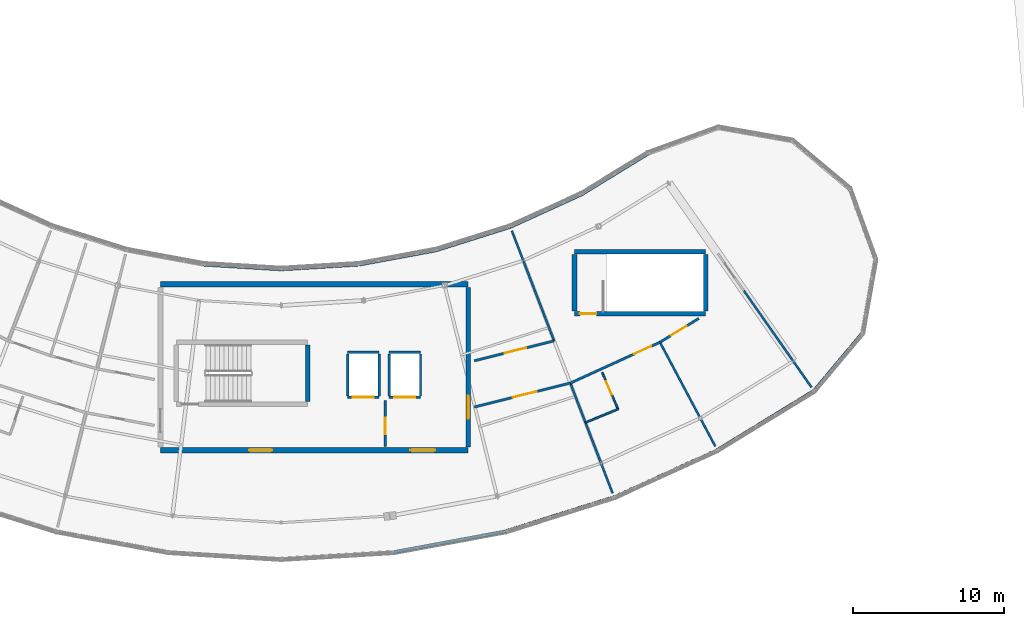
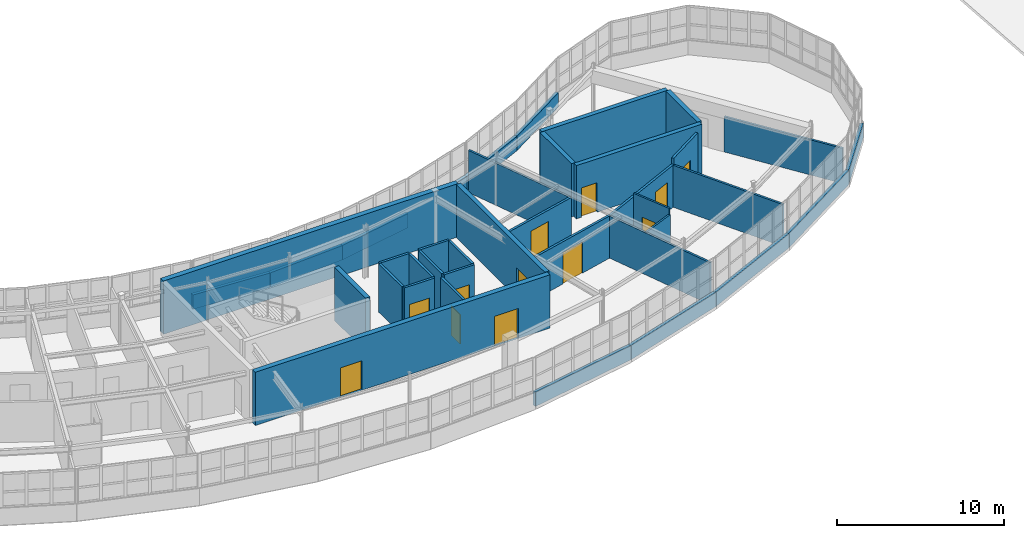
# One storey, part 66 of 79: 38 walls, 12 doors, 12 openings.
"""IFC4 building model written with IfcOpenShell, lengths in metres."""

from ifc_helpers import new_model, si_unit, direction, frame, frame_2d, origin, place, context, subcontext, project, spatial, rectangle, extrude, material, layer, layer_set, type_object, element, fill, save


model = new_model("IFC4")

# Units and contexts
model_context = context("Model", 3, precision=1e-05, world=origin(), true_north=direction((0.0, 1.0)))
body_context = subcontext(model_context, "Body", "Model", "MODEL_VIEW")
ifc_project = project(units=[si_unit("LENGTHUNIT", "METRE"), si_unit("AREAUNIT", "SQUARE_METRE"), si_unit("VOLUMEUNIT", "CUBIC_METRE"), si_unit("PLANEANGLEUNIT", "RADIAN"), si_unit("MASSUNIT", "GRAM", prefix="KILO")], contexts=[model_context])

# Site, building, storey
site_placement = place(None, origin())
site = spatial("IfcSite", under=ifc_project, at=site_placement, CompositionType="ELEMENT")
building_placement = place(site_placement, origin())
building = spatial("IfcBuilding", under=site, at=building_placement, Name="Tarnwether General Hospital", CompositionType="ELEMENT")
storey_placement = place(building_placement, frame((0.0, 0.0, 18.300048828125)))
storey = spatial("IfcBuildingStorey", under=building, at=storey_placement, Name="L04", CompositionType="ELEMENT", Elevation=18.300048828125)

# Walls
ifc_material_1 = material(Name="Streamlined white enamelled aluminium", Category="aluminium")
ifc_layer_1 = layer(ifc_material_1, 0.219970703125)
ifc_layer_set_1 = layer_set([ifc_layer_1], Name="Streamlined white enamelled aluminium")
wall_type_1 = type_object("IfcWallType", Name="WL-EX220", PredefinedType="STANDARD", material=ifc_layer_set_1)
wall_1_placement = place(storey_placement, frame((106.902099609375, 3.22998046875, 0.0), z_axis=(0.0, 0.0, 1.0), x_axis=(-0.983242805192, -0.18230081195, 0.0)))
element("IfcWall", 1, at=wall_1_placement, inside=storey, type_object=wall_type_1, Name="Ward SE Streamlined White Spandrel EW-L04-0193", PredefinedType="STANDARD", context=body_context, shape_type="SweptSolid", body=[
    extrude(rectangle(XDim=7.52099609375, YDim=0.219970703125, at=frame_2d((3.760498046875, 0.0))), origin(), (0.0, 0.0, 1.0), 1.050048828125),
])
wall_2_placement = place(storey_placement, frame((114.074951171875, 5.490966796875, 0.0), z_axis=(0.0, 0.0, 1.0), x_axis=(-0.953740021466, -0.300632618747, 0.0)))
element("IfcWall", 2, at=wall_2_placement, inside=storey, type_object=wall_type_1, Name="Ward SE Streamlined White Spandrel EW-L04-0194", PredefinedType="STANDARD", context=body_context, shape_type="SweptSolid", body=[
    extrude(rectangle(XDim=7.520751953125, YDim=0.219970703125, at=frame_2d((3.76025390625, 0.0))), origin(), (0.0, 0.0, 1.0), 1.050048828125),
])
wall_3_placement = place(storey_placement, frame((120.9189453125, 8.610107421875, 0.0), z_axis=(0.0, 0.0, 1.0), x_axis=(-0.909953604353, -0.414710064895, 0.0)))
element("IfcWall", 3, at=wall_3_placement, inside=storey, type_object=wall_type_1, Name="Ward SE Streamlined White Spandrel EW-L04-0195", PredefinedType="STANDARD", context=body_context, shape_type="SweptSolid", body=[
    extrude(rectangle(XDim=7.521240234375, YDim=0.219970703125, at=frame_2d((3.7607421875, 0.0))), origin(), (0.0, 0.0, 1.0), 1.050048828125),
])
wall_4_placement = place(storey_placement, frame((127.33203125, 12.5400390625, 0.0), z_axis=(0.0, 0.0, 1.0), x_axis=(-0.852640903338, -0.522497358803, 0.0)))
element("IfcWall", 4, at=wall_4_placement, inside=storey, type_object=wall_type_1, Name="Ward SE Streamlined White Spandrel EW-L04-0196", PredefinedType="STANDARD", context=body_context, shape_type="SweptSolid", body=[
    extrude(rectangle(XDim=7.521484375, YDim=0.219970703125, at=frame_2d((3.7607421875, 0.0))), origin(), (0.0, 0.0, 1.0), 1.050048828125),
])
wall_5_placement = place(storey_placement, frame((130.527099609375, 16.346923828125, 0.0), z_axis=(0.0, 0.0, 1.0), x_axis=(-0.642871763415, -0.765973821879, 0.0)))
element("IfcWall", 5, at=wall_5_placement, inside=storey, type_object=wall_type_1, Name="Ward SE Streamlined White Spandrel EW-L04-0197", PredefinedType="STANDARD", context=body_context, shape_type="SweptSolid", body=[
    extrude(rectangle(XDim=4.969970703125, YDim=0.219970703125, at=frame_2d((2.48486328125, 0.0))), origin(), (0.0, 0.0, 1.0), 1.050048828125),
])
for number, where, z_axis, x_axis, name in (
    (6, (111.906005859375, 25.56298828125, 0.0), (0.0, 0.0, 1.0), (0.852628362135, 0.522517823698, 0.0), "Ward SE Streamlined White Spandrel EW-L04-0203"),
    (7, (107.195068359375, 23.416015625, 0.0), (0.0, 0.0, 1.0), (0.909955822384, 0.414705198074, 0.0), "Ward SE Streamlined White Spandrel EW-L04-0204"),
):
    element("IfcWall", number, at=place(storey_placement, frame(where, z_axis=z_axis, x_axis=x_axis)), inside=storey, type_object=wall_type_1, Name=name, PredefinedType="STANDARD", context=body_context, shape_type="SweptSolid", body=[
        extrude(rectangle(XDim=5.177001953125, YDim=0.219970703125, at=frame_2d((2.58837890625, 0.0))), origin(), (0.0, 0.0, 1.0), 1.050048828125),
    ])
wall_6_placement = place(storey_placement, frame((102.257080078125, 21.85888671875, 0.0), z_axis=(0.0, 0.0, 1.0), x_axis=(0.953706582316, 0.300738681994, 0.0)))
element("IfcWall", 8, at=wall_6_placement, inside=storey, type_object=wall_type_1, Name="Ward SE Streamlined White Spandrel EW-L04-0205", PredefinedType="STANDARD", context=body_context, shape_type="SweptSolid", body=[
    extrude(rectangle(XDim=5.177734375, YDim=0.219970703125, at=frame_2d((2.5888671875, 0.0))), origin(), (0.0, 0.0, 1.0), 1.050048828125),
])
for number, where, z_axis, x_axis, name in (
    (9, (97.1669921875, 20.916015625, 0.0), (0.0, 0.0, 1.0), (0.98327293422, 0.182138235501, 0.0), "Ward SE Streamlined White Spandrel EW-L04-0206"),
    (10, (92.0, 20.60009765625, 0.0), (0.0, 0.0, 1.0), (0.998136079034, 0.061027598104, 0.0), "Ward SE Streamlined White Spandrel EW-L04-0207"),
    (11, (86.8330078125, 20.916015625, 0.0), (0.0, 0.0, 1.0), (0.998136079034, -0.061027598104, 0.0), "Ward SE Streamlined White Spandrel EW-L04-0208"),
):
    element("IfcWall", number, at=place(storey_placement, frame(where, z_axis=z_axis, x_axis=x_axis)), inside=storey, type_object=wall_type_1, Name=name, PredefinedType="STANDARD", context=body_context, shape_type="SweptSolid", body=[
        extrude(rectangle(XDim=5.1767578125, YDim=0.219970703125, at=frame_2d((2.58837890625, 0.0))), origin(), (0.0, 0.0, 1.0), 1.050048828125),
    ])

# Wall, opening, door
ifc_material_2 = material(Name="Gypsum plasterboard")
ifc_layer_2 = layer(ifc_material_2, 0.1201171875)
ifc_layer_set_2 = layer_set([ifc_layer_2], Name="Gypsum plasterboard")
wall_type_2 = type_object("IfcWallType", Name="WL-PT120", PredefinedType="PARTITIONING", material=ifc_layer_set_2)
wall_7_placement = place(storey_placement, frame((113.285888671875, 13.763916015625, 0.0), z_axis=(0.0, 0.0, 1.0), x_axis=(0.396798265053, -0.917905843129, 0.0)))
wall_7 = element("IfcWall", 12, at=wall_7_placement, inside=storey, type_object=wall_type_2, Name="Interior Partition PT-L04-0417", PredefinedType="PARTITIONING", context=body_context, shape_type="SweptSolid", body=[
    extrude(rectangle(XDim=2.6591796875, YDim=0.1201171875, at=frame_2d((1.32958984375, 0.0))), origin(), (0.0, 0.0, 1.0), 3.5400390625),
])
opening_1_placement = place(wall_7_placement, frame((0.64990234375, 0.0, 0.0)))
opening_1 = element("IfcOpeningElement", 13, at=opening_1_placement, cuts=wall_7, Name="Opening D-10", PredefinedType="OPENING", context=body_context, shape_type="SweptSolid", body=[
    extrude(rectangle(XDim=0.9599609375, YDim=2.06005859375, at=frame_2d((0.47998046875, 1.030029296875))), frame((0.0, 0.070068359375, 0.0), z_axis=(0.0, -1.0, 0.0), x_axis=(1.0, 0.0, 0.0)), (0.0, 0.0, 1.0), 0.14013671875),
])
ifc_material_3 = material(Name="Anodised aluminium", Category="aluminium")
door_type_1 = type_object("IfcDoorType", Name="DR-IN10", OperationType="NOTDEFINED", PredefinedType="DOOR", material=ifc_material_3)
door_1_placement = place(opening_1_placement, origin())
door_1 = element("IfcDoor", 14, at=door_1_placement, inside=storey, type_object=door_type_1, Name="Interior Door DR-L04-0232", OperationType="SINGLE_SWING_RIGHT", OverallHeight=2.06005859375, OverallWidth=0.9599609375, PredefinedType="DOOR", context=body_context, shape_type="SweptSolid", body=[
    extrude(rectangle(XDim=0.9599609375, YDim=2.06005859375, at=frame_2d((0.47998046875, 1.030029296875))), frame((0.0, 0.02490234375, 0.0), z_axis=(0.0, -1.0, 0.0), x_axis=(1.0, 0.0, 0.0)), (0.0, 0.0, 1.0), 0.050048828125),
])
fill(opening_1, door_1)

# Walls
wall_8_placement = place(storey_placement, frame((112.176025390625, 10.43896484375, 0.0), z_axis=(0.0, 0.0, 1.0), x_axis=(0.925796200481, 0.378023008789, 0.0)))
element("IfcWall", 15, at=wall_8_placement, inside=storey, type_object=wall_type_2, Name="Interior Partition PT-L04-0418", PredefinedType="PARTITIONING", context=body_context, shape_type="SweptSolid", body=[
    extrude(rectangle(XDim=2.338623046875, YDim=0.1201171875, at=frame_2d((1.16943359375, 0.0))), origin(), (0.0, 0.0, 1.0), 3.087890625),
])
ifc_material_4 = material(Name="Gypsum plasterboard")
ifc_layer_3 = layer(ifc_material_4, 0.139892578125)
ifc_layer_set_3 = layer_set([ifc_layer_3], Name="Gypsum plasterboard")
wall_type_3 = type_object("IfcWallType", Name="WL-PT140", PredefinedType="PARTITIONING", material=ifc_layer_set_3)
wall_9_placement = place(storey_placement, frame((111.173095703125, 13.052978515625, 0.0), z_axis=(0.0, 0.0, 1.0), x_axis=(0.358342954102, -0.933590020965, 0.0)))
element("IfcWall", 16, at=wall_9_placement, inside=storey, type_object=wall_type_3, Name="Interior Partition PT-L04-0414", PredefinedType="PARTITIONING", context=body_context, shape_type="SweptSolid", body=[
    extrude(rectangle(XDim=7.8193359375, YDim=0.139892578125, at=frame_2d((3.90966796875, 0.0))), origin(), (0.0, 0.0, 1.0), 3.071044921875),
])
wall_10_placement = place(storey_placement, frame((110.097900390625, 15.85400390625, 0.0), z_axis=(0.0, 0.0, 1.0), x_axis=(-0.358410014332, 0.933564278251, 0.0)))
element("IfcWall", 17, at=wall_10_placement, inside=storey, type_object=wall_type_3, Name="Interior Partition PT-L04-0416", PredefinedType="PARTITIONING", context=body_context, shape_type="SweptSolid", body=[
    extrude(rectangle(XDim=7.820556640625, YDim=0.139892578125, at=frame_2d((3.91015625, 0.0))), origin(), (0.0, 0.0, 1.0), 3.087890625),
])
wall_11_placement = place(storey_placement, frame((117.116943359375, 15.761962890625, 0.0), z_axis=(0.0, 0.0, 1.0), x_axis=(0.469490767167, -0.88293738144, 0.0)))
element("IfcWall", 18, at=wall_11_placement, inside=storey, type_object=wall_type_3, Name="Interior Partition PT-L04-0420", PredefinedType="PARTITIONING", context=body_context, shape_type="SweptSolid", body=[
    extrude(rectangle(XDim=7.8193359375, YDim=0.139892578125, at=frame_2d((3.90966796875, 0.0))), origin(), (0.0, 0.0, 1.0), 3.071044921875),
])
wall_12_placement = place(storey_placement, frame((122.68603515625, 19.175048828125, 0.0), z_axis=(0.0, 0.0, 1.0), x_axis=(0.573682336084, -0.819077882295, 0.0)))
element("IfcWall", 19, at=wall_12_placement, inside=storey, type_object=wall_type_3, Name="Interior Partition PT-L04-0422", PredefinedType="PARTITIONING", context=body_context, shape_type="SweptSolid", body=[
    extrude(rectangle(XDim=7.81982421875, YDim=0.139892578125, at=frame_2d((3.909912109375, 0.0))), origin(), (0.0, 0.0, 1.0), 2.574951171875),
])

# Wall, opening, door
ifc_material_5 = material(Name="Gypsum plasterboard")
ifc_layer_4 = layer(ifc_material_5, 0.159912109375)
ifc_layer_set_4 = layer_set([ifc_layer_4], Name="Gypsum plasterboard")
wall_type_4 = type_object("IfcWallType", Name="WL-PT160", PredefinedType="PARTITIONING", material=ifc_layer_set_4)
wall_13_placement = place(storey_placement, frame((96.409912109375, 12.110107421875, 0.0), z_axis=(0.0, 0.0, 1.0), x_axis=(1.0, 0.0, 0.0)))
wall_13 = element("IfcWall", 20, at=wall_13_placement, inside=storey, type_object=wall_type_4, Name="Lift L-02 Shaft Wall LSH-L-02-L04-S", PredefinedType="PARTITIONING", context=body_context, shape_type="SweptSolid", body=[
    extrude(rectangle(XDim=2.080078125, YDim=0.159912109375, at=frame_2d((1.0400390625, 0.0))), origin(), (0.0, 0.0, 1.0), 3.5400390625),
])
opening_2_placement = place(wall_13_placement, frame((0.340087890625, 0.0, 0.0)))
opening_2 = element("IfcOpeningElement", 21, at=opening_2_placement, cuts=wall_13, Name="Opening LD-01", PredefinedType="OPENING", context=body_context, shape_type="SweptSolid", body=[
    extrude(rectangle(XDim=1.39990234375, YDim=2.199951171875, at=frame_2d((0.699951171875, 1.10009765625))), frame((0.0, 0.08984375, 0.0), z_axis=(0.0, -1.0, 0.0), x_axis=(1.0, 0.0, 0.0)), (0.0, 0.0, 1.0), 0.179931640625),
])
ifc_material_6 = material(Name="Anodised aluminium", Category="aluminium")
door_type_2 = type_object("IfcDoorType", Name="DR-LD01", OperationType="NOTDEFINED", PredefinedType="DOOR", material=ifc_material_6)
door_2_placement = place(opening_2_placement, origin())
door_2 = element("IfcDoor", 22, at=door_2_placement, inside=storey, type_object=door_type_2, Name="Lift L-02 Sliding Landing Door L04", OperationType="SLIDING_TO_RIGHT", OverallHeight=2.199951171875, OverallWidth=1.39990234375, PredefinedType="DOOR", context=body_context, shape_type="SweptSolid", body=[
    extrude(rectangle(XDim=1.39990234375, YDim=2.199951171875, at=frame_2d((0.699951171875, 1.10009765625))), frame((0.0, 0.02490234375, 0.0), z_axis=(0.0, -1.0, 0.0), x_axis=(1.0, 0.0, 0.0)), (0.0, 0.0, 1.0), 0.050048828125),
])
fill(opening_2, door_2)

# Walls
wall_14_placement = place(storey_placement, frame((98.489990234375, 15.090087890625, 0.0), z_axis=(0.0, 0.0, 1.0), x_axis=(-1.0, 0.0, 0.0)))
element("IfcWall", 23, at=wall_14_placement, inside=storey, type_object=wall_type_4, Name="Lift L-02 Shaft Wall LSH-L-02-L04-N", PredefinedType="PARTITIONING", context=body_context, shape_type="SweptSolid", body=[
    extrude(rectangle(XDim=2.080078125, YDim=0.159912109375, at=frame_2d((1.0400390625, 0.0))), origin(), (0.0, 0.0, 1.0), 3.5400390625),
])
for number, where, z_axis, x_axis, name in (
    (24, (96.409912109375, 14.989990234375, 0.0), (0.0, 0.0, 1.0), (0.0, -1.0, 0.0), "Lift L-02 Shaft Wall LSH-L-02-L04-W"),
    (25, (98.489990234375, 12.2099609375, 0.0), (0.0, 0.0, 1.0), (0.0, 1.0, 0.0), "Lift L-02 Shaft Wall LSH-L-02-L04-E"),
):
    element("IfcWall", number, at=place(storey_placement, frame(where, z_axis=z_axis, x_axis=x_axis)), inside=storey, type_object=wall_type_4, Name=name, PredefinedType="PARTITIONING", context=body_context, shape_type="SweptSolid", body=[
        extrude(rectangle(XDim=2.780029296875, YDim=0.159912109375, at=frame_2d((1.39013671875, 0.0))), origin(), (0.0, 0.0, 1.0), 3.5400390625),
    ])

# Wall, opening, door
wall_15_placement = place(storey_placement, frame((99.159912109375, 12.110107421875, 0.0), z_axis=(0.0, 0.0, 1.0), x_axis=(1.0, 0.0, 0.0)))
wall_15 = element("IfcWall", 26, at=wall_15_placement, inside=storey, type_object=wall_type_4, Name="Lift L-04 Shaft Wall LSH-L-04-L04-S", PredefinedType="PARTITIONING", context=body_context, shape_type="SweptSolid", body=[
    extrude(rectangle(XDim=2.080078125, YDim=0.159912109375, at=frame_2d((1.0400390625, 0.0))), origin(), (0.0, 0.0, 1.0), 3.5400390625),
])
opening_3_placement = place(wall_15_placement, frame((0.340087890625, 0.0, 0.0)))
opening_3 = element("IfcOpeningElement", 27, at=opening_3_placement, cuts=wall_15, Name="Opening LD-01", PredefinedType="OPENING", context=body_context, shape_type="SweptSolid", body=[
    extrude(rectangle(XDim=1.39990234375, YDim=2.199951171875, at=frame_2d((0.699951171875, 1.10009765625))), frame((0.0, 0.08984375, 0.0), z_axis=(0.0, -1.0, 0.0), x_axis=(1.0, 0.0, 0.0)), (0.0, 0.0, 1.0), 0.179931640625),
])
door_3_placement = place(opening_3_placement, origin())
door_3 = element("IfcDoor", 28, at=door_3_placement, inside=storey, type_object=door_type_2, Name="Lift L-04 Sliding Landing Door L04", OperationType="SLIDING_TO_RIGHT", OverallHeight=2.199951171875, OverallWidth=1.39990234375, PredefinedType="DOOR", context=body_context, shape_type="SweptSolid", body=[
    extrude(rectangle(XDim=1.39990234375, YDim=2.199951171875, at=frame_2d((0.699951171875, 1.10009765625))), frame((0.0, 0.02490234375, 0.0), z_axis=(0.0, -1.0, 0.0), x_axis=(1.0, 0.0, 0.0)), (0.0, 0.0, 1.0), 0.050048828125),
])
fill(opening_3, door_3)

# Walls
wall_16_placement = place(storey_placement, frame((101.239990234375, 15.090087890625, 0.0), z_axis=(0.0, 0.0, 1.0), x_axis=(-1.0, 0.0, 0.0)))
element("IfcWall", 29, at=wall_16_placement, inside=storey, type_object=wall_type_4, Name="Lift L-04 Shaft Wall LSH-L-04-L04-N", PredefinedType="PARTITIONING", context=body_context, shape_type="SweptSolid", body=[
    extrude(rectangle(XDim=2.080078125, YDim=0.159912109375, at=frame_2d((1.0400390625, 0.0))), origin(), (0.0, 0.0, 1.0), 3.5400390625),
])
for number, where, z_axis, x_axis, name in (
    (30, (99.159912109375, 14.989990234375, 0.0), (0.0, 0.0, 1.0), (0.0, -1.0, 0.0), "Lift L-04 Shaft Wall LSH-L-04-L04-W"),
    (31, (101.239990234375, 12.2099609375, 0.0), (0.0, 0.0, 1.0), (0.0, 1.0, 0.0), "Lift L-04 Shaft Wall LSH-L-04-L04-E"),
):
    element("IfcWall", number, at=place(storey_placement, frame(where, z_axis=z_axis, x_axis=x_axis)), inside=storey, type_object=wall_type_4, Name=name, PredefinedType="PARTITIONING", context=body_context, shape_type="SweptSolid", body=[
        extrude(rectangle(XDim=2.780029296875, YDim=0.159912109375, at=frame_2d((1.39013671875, 0.0))), origin(), (0.0, 0.0, 1.0), 3.5400390625),
    ])

# Wall, opening, door
wall_17_placement = place(storey_placement, frame((98.89990234375, 8.85009765625, 0.0), z_axis=(0.0, 0.0, 1.0), x_axis=(0.0, 1.0, 0.0)))
wall_17 = element("IfcWall", 32, at=wall_17_placement, inside=storey, type_object=wall_type_4, Name="Firefighting Lobby Divider K2 L04", PredefinedType="PARTITIONING", context=body_context, shape_type="SweptSolid", body=[
    extrude(rectangle(XDim=3.0498046875, YDim=0.159912109375, at=frame_2d((1.52490234375, 0.0))), origin(), (0.0, 0.0, 1.0), 3.5400390625),
])
opening_4_placement = place(wall_17_placement, frame((0.800048828125, 0.0, 0.0)))
opening_4 = element("IfcOpeningElement", 33, at=opening_4_placement, cuts=wall_17, Name="Opening FD-06", PredefinedType="OPENING", context=body_context, shape_type="SweptSolid", body=[
    extrude(rectangle(XDim=1.10009765625, YDim=2.14990234375, at=frame_2d((0.550048828125, 1.074951171875))), frame((0.0, 0.08984375, 0.0), z_axis=(0.0, -1.0, 0.0), x_axis=(1.0, 0.0, 0.0)), (0.0, 0.0, 1.0), 0.179931640625),
])
ifc_material_7 = material(Name="Anodised aluminium", Category="aluminium")
door_type_3 = type_object("IfcDoorType", Name="DR-FD06", OperationType="NOTDEFINED", PredefinedType="DOOR", material=ifc_material_7)
door_4_placement = place(opening_4_placement, origin())
door_4 = element("IfcDoor", 34, at=door_4_placement, inside=storey, type_object=door_type_3, Name="Core K2 Inter-Lobby Smoke Door L04", OperationType="SINGLE_SWING_RIGHT", OverallHeight=2.14990234375, OverallWidth=1.10009765625, PredefinedType="DOOR", context=body_context, shape_type="SweptSolid", body=[
    extrude(rectangle(XDim=1.10009765625, YDim=2.14990234375, at=frame_2d((0.550048828125, 1.074951171875))), frame((0.0, 0.02490234375, 0.0), z_axis=(0.0, -1.0, 0.0), x_axis=(1.0, 0.0, 0.0)), (0.0, 0.0, 1.0), 0.050048828125),
])
fill(opening_4, door_4)

wall_18_placement = place(storey_placement, frame((104.81005859375, 11.467041015625, 0.0), z_axis=(0.0, 0.0, 1.0), x_axis=(0.970315261497, 0.241843530625, 0.0)))
wall_18 = element("IfcWall", 35, at=wall_18_placement, inside=storey, type_object=wall_type_4, Name="Interior Partition PT-L04-0413", PredefinedType="PARTITIONING", context=body_context, shape_type="SweptSolid", body=[
    extrude(rectangle(XDim=6.5576171875, YDim=0.159912109375, at=frame_2d((3.27880859375, 0.0))), origin(), (0.0, 0.0, 1.0), 3.0849609375),
])
opening_5_placement = place(wall_18_placement, frame((2.62890625, 0.0, 0.0)))
opening_5 = element("IfcOpeningElement", 36, at=opening_5_placement, cuts=wall_18, Name="Opening SD-02", PredefinedType="OPENING", context=body_context, shape_type="SweptSolid", body=[
    extrude(rectangle(XDim=1.6201171875, YDim=2.300048828125, at=frame_2d((0.81005859375, 1.14990234375))), frame((0.0, 0.08984375, 0.0), z_axis=(0.0, -1.0, 0.0), x_axis=(1.0, 0.0, 0.0)), (0.0, 0.0, 1.0), 0.179931640625),
])
ifc_material_8 = material(Name="Anodised aluminium", Category="aluminium")
door_type_4 = type_object("IfcDoorType", Name="DR-OR02", OperationType="NOTDEFINED", PredefinedType="DOOR", material=ifc_material_8)
door_5_placement = place(opening_5_placement, origin())
door_5 = element("IfcDoor", 37, at=door_5_placement, inside=storey, type_object=door_type_4, Name="Interior Door DR-L04-0230", OperationType="SLIDING_TO_RIGHT", OverallHeight=2.300048828125, OverallWidth=1.6201171875, PredefinedType="DOOR", context=body_context, shape_type="SweptSolid", body=[
    extrude(rectangle(XDim=1.6201171875, YDim=2.300048828125, at=frame_2d((0.81005859375, 1.14990234375))), frame((0.0, 0.02490234375, 0.0), z_axis=(0.0, -1.0, 0.0), x_axis=(1.0, 0.0, 0.0)), (0.0, 0.0, 1.0), 0.050048828125),
])
fill(opening_5, door_5)

wall_19_placement = place(storey_placement, frame((104.81005859375, 14.535888671875, 0.0), z_axis=(0.0, 0.0, 1.0), x_axis=(0.970308293834, 0.241871484298, 0.0)))
wall_19 = element("IfcWall", 38, at=wall_19_placement, inside=storey, type_object=wall_type_4, Name="Interior Partition PT-L04-0415", PredefinedType="PARTITIONING", context=body_context, shape_type="SweptSolid", body=[
    extrude(rectangle(XDim=5.44970703125, YDim=0.159912109375, at=frame_2d((2.724853515625, 0.0))), origin(), (0.0, 0.0, 1.0), 3.087890625),
])
opening_6_placement = place(wall_19_placement, frame((2.074951171875, 0.0, 0.0)))
opening_6 = element("IfcOpeningElement", 39, at=opening_6_placement, cuts=wall_19, Name="Opening SD-03", PredefinedType="OPENING", context=body_context, shape_type="SweptSolid", body=[
    extrude(rectangle(XDim=1.47998046875, YDim=2.260009765625, at=frame_2d((0.739990234375, 1.1298828125))), frame((0.0, 0.08984375, 0.0), z_axis=(0.0, -1.0, 0.0), x_axis=(1.0, 0.0, 0.0)), (0.0, 0.0, 1.0), 0.179931640625),
])
ifc_material_9 = material(Name="Anodised aluminium", Category="aluminium")
door_type_5 = type_object("IfcDoorType", Name="DR-OR03", OperationType="NOTDEFINED", PredefinedType="DOOR", material=ifc_material_9)
door_6_placement = place(opening_6_placement, origin())
door_6 = element("IfcDoor", 40, at=door_6_placement, inside=storey, type_object=door_type_5, Name="Interior Door DR-L04-0231", OperationType="SLIDING_TO_LEFT", OverallHeight=2.260009765625, OverallWidth=1.47998046875, PredefinedType="DOOR", context=body_context, shape_type="SweptSolid", body=[
    extrude(rectangle(XDim=1.47998046875, YDim=2.260009765625, at=frame_2d((0.739990234375, 1.1298828125))), frame((0.0, 0.02490234375, 0.0), z_axis=(0.0, -1.0, 0.0), x_axis=(1.0, 0.0, 0.0)), (0.0, 0.0, 1.0), 0.050048828125),
])
fill(opening_6, door_6)

wall_20_placement = place(storey_placement, frame((111.173095703125, 13.052978515625, 0.0), z_axis=(0.0, 0.0, 1.0), x_axis=(0.909948737979, 0.414720742488, 0.0)))
wall_20 = element("IfcWall", 41, at=wall_20_placement, inside=storey, type_object=wall_type_4, Name="Interior Partition PT-L04-0419", PredefinedType="PARTITIONING", context=body_context, shape_type="SweptSolid", body=[
    extrude(rectangle(XDim=6.531982421875, YDim=0.159912109375, at=frame_2d((3.26611328125, 0.0))), origin(), (0.0, 0.0, 1.0), 3.087890625),
])
opening_7_placement = place(wall_20_placement, frame((4.632080078125, 0.0, 0.0)))
opening_7 = element("IfcOpeningElement", 42, at=opening_7_placement, cuts=wall_20, Name="Opening D-04", PredefinedType="OPENING", context=body_context, shape_type="SweptSolid", body=[
    extrude(rectangle(XDim=1.260009765625, YDim=2.139892578125, at=frame_2d((0.6298828125, 1.06982421875))), frame((0.0, 0.08984375, 0.0), z_axis=(0.0, -1.0, 0.0), x_axis=(1.0, 0.0, 0.0)), (0.0, 0.0, 1.0), 0.179931640625),
])
ifc_material_10 = material(Name="Anodised aluminium", Category="aluminium")
door_type_6 = type_object("IfcDoorType", Name="DR-IN04", OperationType="NOTDEFINED", PredefinedType="DOOR", material=ifc_material_10)
door_7_placement = place(opening_7_placement, origin())
door_7 = element("IfcDoor", 43, at=door_7_placement, inside=storey, type_object=door_type_6, Name="Interior Door DR-L04-0233", OperationType="SINGLE_SWING_LEFT", OverallHeight=2.139892578125, OverallWidth=1.260009765625, PredefinedType="DOOR", context=body_context, shape_type="SweptSolid", body=[
    extrude(rectangle(XDim=1.260009765625, YDim=2.139892578125, at=frame_2d((0.6298828125, 1.06982421875))), frame((0.0, 0.02490234375, 0.0), z_axis=(0.0, -1.0, 0.0), x_axis=(1.0, 0.0, 0.0)), (0.0, 0.0, 1.0), 0.050048828125),
])
fill(opening_7, door_7)

wall_21_placement = place(storey_placement, frame((117.116943359375, 15.761962890625, 0.0), z_axis=(0.0, 0.0, 1.0), x_axis=(0.852611708756, 0.522544997193, 0.0)))
wall_21 = element("IfcWall", 44, at=wall_21_placement, inside=storey, type_object=wall_type_4, Name="Interior Partition PT-L04-0421", PredefinedType="PARTITIONING", context=body_context, shape_type="SweptSolid", body=[
    extrude(rectangle(XDim=3.02001953125, YDim=0.159912109375, at=frame_2d((1.510009765625, 0.0))), origin(), (0.0, 0.0, 1.0), 3.5400390625),
])
opening_8_placement = place(wall_21_placement, frame((0.860107421875, 0.0, 0.0)))
opening_8 = element("IfcOpeningElement", 45, at=opening_8_placement, cuts=wall_21, Name="Opening D-05", PredefinedType="OPENING", context=body_context, shape_type="SweptSolid", body=[
    extrude(rectangle(XDim=1.199951171875, YDim=2.1201171875, at=frame_2d((0.60009765625, 1.06005859375))), frame((0.0, 0.08984375, 0.0), z_axis=(0.0, -1.0, 0.0), x_axis=(1.0, 0.0, 0.0)), (0.0, 0.0, 1.0), 0.179931640625),
])
ifc_material_11 = material(Name="Anodised aluminium", Category="aluminium")
door_type_7 = type_object("IfcDoorType", Name="DR-IN05", OperationType="NOTDEFINED", PredefinedType="DOOR", material=ifc_material_11)
door_8_placement = place(opening_8_placement, origin())
door_8 = element("IfcDoor", 46, at=door_8_placement, inside=storey, type_object=door_type_7, Name="Interior Door DR-L04-0234", OperationType="SINGLE_SWING_RIGHT", OverallHeight=2.1201171875, OverallWidth=1.199951171875, PredefinedType="DOOR", context=body_context, shape_type="SweptSolid", body=[
    extrude(rectangle(XDim=1.199951171875, YDim=2.1201171875, at=frame_2d((0.60009765625, 1.06005859375))), frame((0.0, 0.02490234375, 0.0), z_axis=(0.0, -1.0, 0.0), x_axis=(1.0, 0.0, 0.0)), (0.0, 0.0, 1.0), 0.050048828125),
])
fill(opening_8, door_8)

ifc_material_12 = material(Name="Concrete 50 MPa", Category="concrete")
ifc_layer_5 = layer(ifc_material_12, 0.300048828125)
ifc_layer_set_5 = layer_set([ifc_layer_5], Name="Concrete 50 MPa")
wall_type_5 = type_object("IfcWallType", Name="WL-SW300", PredefinedType="SHEAR", material=ifc_layer_set_5)
wall_22_placement = place(storey_placement, frame((104.39990234375, 19.39990234375, 0.0), z_axis=(0.0, 0.0, 1.0), x_axis=(0.0, -1.0, 0.0)))
wall_22 = element("IfcWall", 47, at=wall_22_placement, inside=storey, type_object=wall_type_5, Name="Core Shear Wall CWALL-K2-L04-E", PredefinedType="SHEAR", context=body_context, shape_type="SweptSolid", body=[
    extrude(rectangle(XDim=10.599853515625, YDim=0.300048828125, at=frame_2d((5.2998046875, 0.0))), origin(), (0.0, 0.0, 1.0), 3.89990234375),
])
opening_9_placement = place(wall_22_placement, frame((7.199951171875, 0.0, 0.0)))
opening_9 = element("IfcOpeningElement", 48, at=opening_9_placement, cuts=wall_22, Name="Opening FD-02", PredefinedType="OPENING", context=body_context, shape_type="SweptSolid", body=[
    extrude(rectangle(XDim=1.52001953125, YDim=2.159912109375, at=frame_2d((0.760009765625, 1.080078125))), frame((0.0, 0.16015625, 0.0), z_axis=(0.0, -1.0, 0.0), x_axis=(1.0, 0.0, 0.0)), (0.0, 0.0, 1.0), 0.320068359375),
])
ifc_material_13 = material(Name="Anodised aluminium", Category="aluminium")
door_type_8 = type_object("IfcDoorType", Name="DR-FD02", OperationType="NOTDEFINED", PredefinedType="DOOR", material=ifc_material_13)
door_9_placement = place(opening_9_placement, origin())
door_9 = element("IfcDoor", 49, at=door_9_placement, inside=storey, type_object=door_type_8, Name="Core K2 Ward Corridor Fire Door L04", OperationType="SINGLE_SWING_RIGHT", OverallHeight=2.159912109375, OverallWidth=1.52001953125, PredefinedType="DOOR", context=body_context, shape_type="SweptSolid", body=[
    extrude(rectangle(XDim=1.52001953125, YDim=2.159912109375, at=frame_2d((0.760009765625, 1.080078125))), frame((0.0, 0.02490234375, 0.0), z_axis=(0.0, -1.0, 0.0), x_axis=(1.0, 0.0, 0.0)), (0.0, 0.0, 1.0), 0.050048828125),
])
fill(opening_9, door_9)

# Wall
wall_23_placement = place(storey_placement, frame((93.75, 11.820068359375, 0.0), z_axis=(0.0, 0.0, 1.0), x_axis=(0.0, 1.0, 0.0)))
element("IfcWall", 50, at=wall_23_placement, inside=storey, type_object=wall_type_5, Name="Stairwell Shear Wall STW-ST-02-L04-F", PredefinedType="SHEAR", context=body_context, shape_type="SweptSolid", body=[
    extrude(rectangle(XDim=3.760009765625, YDim=0.300048828125, at=frame_2d((1.8798828125, 0.0))), origin(), (0.0, 0.0, 1.0), 3.89990234375),
])

# Wall, opening, door
wall_24_placement = place(storey_placement, frame((111.449951171875, 17.64990234375, 0.0), z_axis=(0.0, 0.0, 1.0), x_axis=(1.0, 0.0, 0.0)))
wall_24 = element("IfcWall", 51, at=wall_24_placement, inside=storey, type_object=wall_type_5, Name="Stairwell Shear Wall STW-ST-10-L04-B", PredefinedType="SHEAR", context=body_context, shape_type="SweptSolid", body=[
    extrude(rectangle(XDim=8.699951171875, YDim=0.300048828125, at=frame_2d((4.35009765625, 0.0))), origin(), (0.0, 0.0, 1.0), 3.89990234375),
])
opening_10_placement = place(wall_24_placement, frame((0.35009765625, 0.0, 0.0)))
opening_10 = element("IfcOpeningElement", 52, at=opening_10_placement, cuts=wall_24, Name="Opening FD-06", PredefinedType="OPENING", context=body_context, shape_type="SweptSolid", body=[
    extrude(rectangle(XDim=1.10009765625, YDim=2.14990234375, at=frame_2d((0.550048828125, 1.074951171875))), frame((0.0, 0.16015625, 0.0), z_axis=(0.0, -1.0, 0.0), x_axis=(1.0, 0.0, 0.0)), (0.0, 0.0, 1.0), 0.320068359375),
])
door_10_placement = place(opening_10_placement, origin())
door_10 = element("IfcDoor", 53, at=door_10_placement, inside=storey, type_object=door_type_3, Name="Stairwell ST-10 Safe-Path Fire Door L04", OperationType="SINGLE_SWING_LEFT", OverallHeight=2.14990234375, OverallWidth=1.10009765625, PredefinedType="DOOR", context=body_context, shape_type="SweptSolid", body=[
    extrude(rectangle(XDim=1.10009765625, YDim=2.14990234375, at=frame_2d((0.550048828125, 1.074951171875))), frame((0.0, 0.02490234375, 0.0), z_axis=(0.0, -1.0, 0.0), x_axis=(1.0, 0.0, 0.0)), (0.0, 0.0, 1.0), 0.050048828125),
])
fill(opening_10, door_10)

# Walls
wall_25_placement = place(storey_placement, frame((120.14990234375, 21.75, 0.0), z_axis=(0.0, 0.0, 1.0), x_axis=(-1.0, 0.0, 0.0)))
element("IfcWall", 54, at=wall_25_placement, inside=storey, type_object=wall_type_5, Name="Stairwell Shear Wall STW-ST-10-L04-N", PredefinedType="SHEAR", context=body_context, shape_type="SweptSolid", body=[
    extrude(rectangle(XDim=8.699951171875, YDim=0.300048828125, at=frame_2d((4.35009765625, 0.0))), origin(), (0.0, 0.0, 1.0), 3.89990234375),
])
for number, where, z_axis, x_axis, name in (
    (55, (111.449951171875, 17.820068359375, 0.0), (0.0, 0.0, 1.0), (0.0, 1.0, 0.0), "Stairwell Shear Wall STW-ST-10-L04-L"),
    (56, (120.14990234375, 17.820068359375, 0.0), (0.0, 0.0, 1.0), (0.0, 1.0, 0.0), "Stairwell Shear Wall STW-ST-10-L04-F"),
):
    element("IfcWall", number, at=place(storey_placement, frame(where, z_axis=z_axis, x_axis=x_axis)), inside=storey, type_object=wall_type_5, Name=name, PredefinedType="SHEAR", context=body_context, shape_type="SweptSolid", body=[
        extrude(rectangle(XDim=3.760009765625, YDim=0.300048828125, at=frame_2d((1.8798828125, 0.0))), origin(), (0.0, 0.0, 1.0), 3.89990234375),
    ])
ifc_material_14 = material(Name="Concrete 50 MPa", Category="concrete")
ifc_layer_6 = layer(ifc_material_14, 0.35009765625)
ifc_layer_set_6 = layer_set([ifc_layer_6], Name="Concrete 50 MPa")
wall_type_6 = type_object("IfcWallType", Name="WL-SW350", PredefinedType="SHEAR", material=ifc_layer_set_6)
wall_26_placement = place(storey_placement, frame((84.0, 19.60009765625, 0.0), z_axis=(0.0, 0.0, 1.0), x_axis=(1.0, 0.0, 0.0)))
element("IfcWall", 57, at=wall_26_placement, inside=storey, type_object=wall_type_6, Name="Core Shear Wall CWALL-K2-L04-N", PredefinedType="SHEAR", context=body_context, shape_type="SweptSolid", body=[
    extrude(rectangle(XDim=20.39990234375, YDim=0.35009765625, at=frame_2d((10.199951171875, 0.0))), origin(), (0.0, 0.0, 1.0), 3.89990234375),
])

# Wall, openings, doors
wall_27_placement = place(storey_placement, frame((104.39990234375, 8.60009765625, 0.0), z_axis=(0.0, 0.0, 1.0), x_axis=(-1.0, 0.0, 0.0)))
wall_27 = element("IfcWall", 58, at=wall_27_placement, inside=storey, type_object=wall_type_6, Name="Core Shear Wall CWALL-K2-L04-S", PredefinedType="SHEAR", context=body_context, shape_type="SweptSolid", body=[
    extrude(rectangle(XDim=20.39990234375, YDim=0.35009765625, at=frame_2d((10.199951171875, 0.0))), origin(), (0.0, 0.0, 1.0), 3.89990234375),
])
opening_11_placement = place(wall_27_placement, frame((2.199951171875, 0.0, 0.0)))
opening_11 = element("IfcOpeningElement", 59, at=opening_11_placement, cuts=wall_27, Name="Opening FD-01", PredefinedType="OPENING", context=body_context, shape_type="SweptSolid", body=[
    extrude(rectangle(XDim=1.639892578125, YDim=2.199951171875, at=frame_2d((0.81982421875, 1.10009765625))), frame((0.0, 0.18505859375, 0.0), z_axis=(0.0, -1.0, 0.0), x_axis=(1.0, 0.0, 0.0)), (0.0, 0.0, 1.0), 0.3701171875),
])
opening_12_placement = place(wall_27_placement, frame((13.0, 0.0, 0.0)))
opening_12 = element("IfcOpeningElement", 60, at=opening_12_placement, cuts=wall_27, Name="Opening FD-02", PredefinedType="OPENING", context=body_context, shape_type="SweptSolid", body=[
    extrude(rectangle(XDim=1.52001953125, YDim=2.159912109375, at=frame_2d((0.760009765625, 1.080078125))), frame((0.0, 0.18505859375, 0.0), z_axis=(0.0, -1.0, 0.0), x_axis=(1.0, 0.0, 0.0)), (0.0, 0.0, 1.0), 0.3701171875),
])
ifc_material_15 = material(Name="Anodised aluminium", Category="aluminium")
door_type_9 = type_object("IfcDoorType", Name="DR-FD01", OperationType="NOTDEFINED", PredefinedType="DOOR", material=ifc_material_15)
door_11_placement = place(opening_11_placement, origin())
door_11 = element("IfcDoor", 61, at=door_11_placement, inside=storey, type_object=door_type_9, Name="Core K2 Lobby Fire Door L04", OperationType="DOUBLE_DOOR_SINGLE_SWING", OverallHeight=2.199951171875, OverallWidth=1.639892578125, PredefinedType="DOOR", context=body_context, shape_type="SweptSolid", body=[
    extrude(rectangle(XDim=1.639892578125, YDim=2.199951171875, at=frame_2d((0.81982421875, 1.10009765625))), frame((0.0, 0.02490234375, 0.0), z_axis=(0.0, -1.0, 0.0), x_axis=(1.0, 0.0, 0.0)), (0.0, 0.0, 1.0), 0.050048828125),
])
fill(opening_11, door_11)
door_12_placement = place(opening_12_placement, origin())
door_12 = element("IfcDoor", 62, at=door_12_placement, inside=storey, type_object=door_type_8, Name="Core K2 Firefighting Lobby Door L04", OperationType="SINGLE_SWING_RIGHT", OverallHeight=2.159912109375, OverallWidth=1.52001953125, PredefinedType="DOOR", context=body_context, shape_type="SweptSolid", body=[
    extrude(rectangle(XDim=1.52001953125, YDim=2.159912109375, at=frame_2d((0.760009765625, 1.080078125))), frame((0.0, 0.02490234375, 0.0), z_axis=(0.0, -1.0, 0.0), x_axis=(1.0, 0.0, 0.0)), (0.0, 0.0, 1.0), 0.050048828125),
])
fill(opening_12, door_12)

save(model, "model.ifc")
